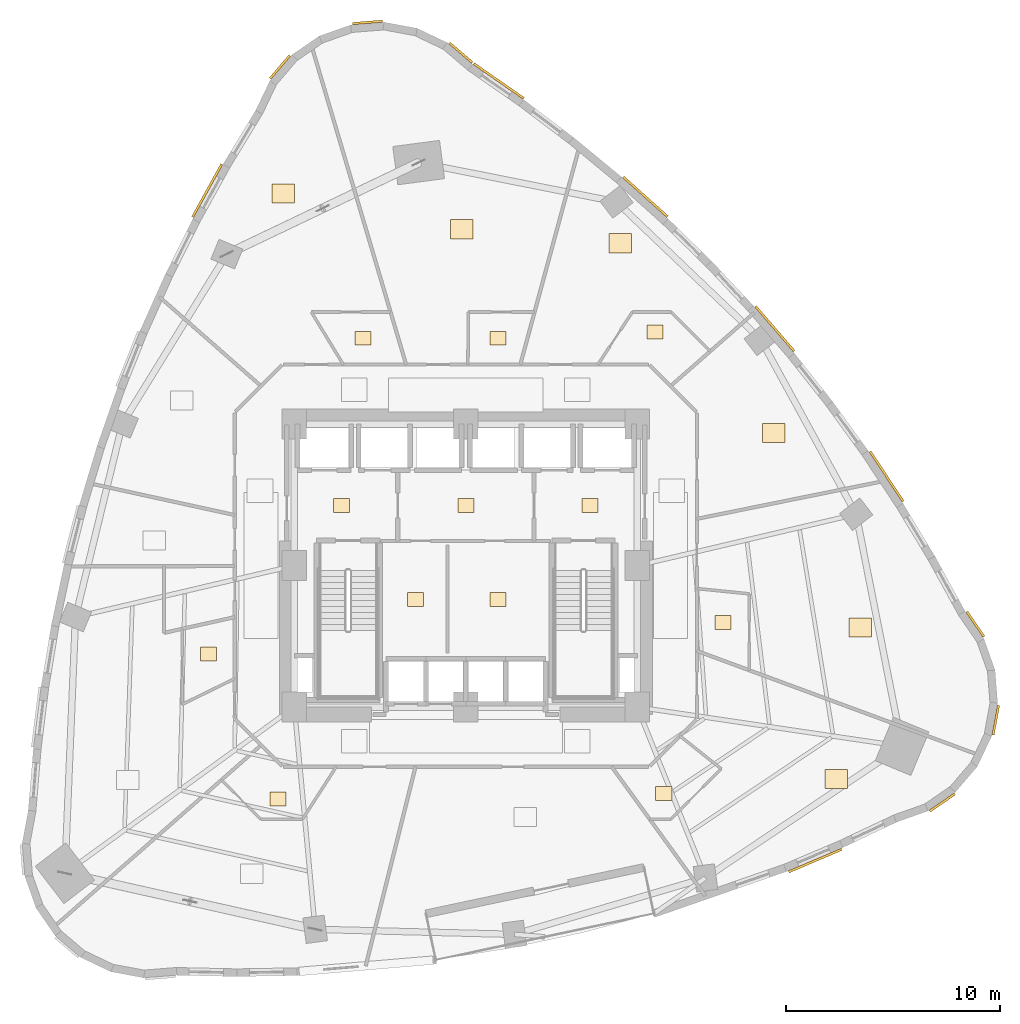
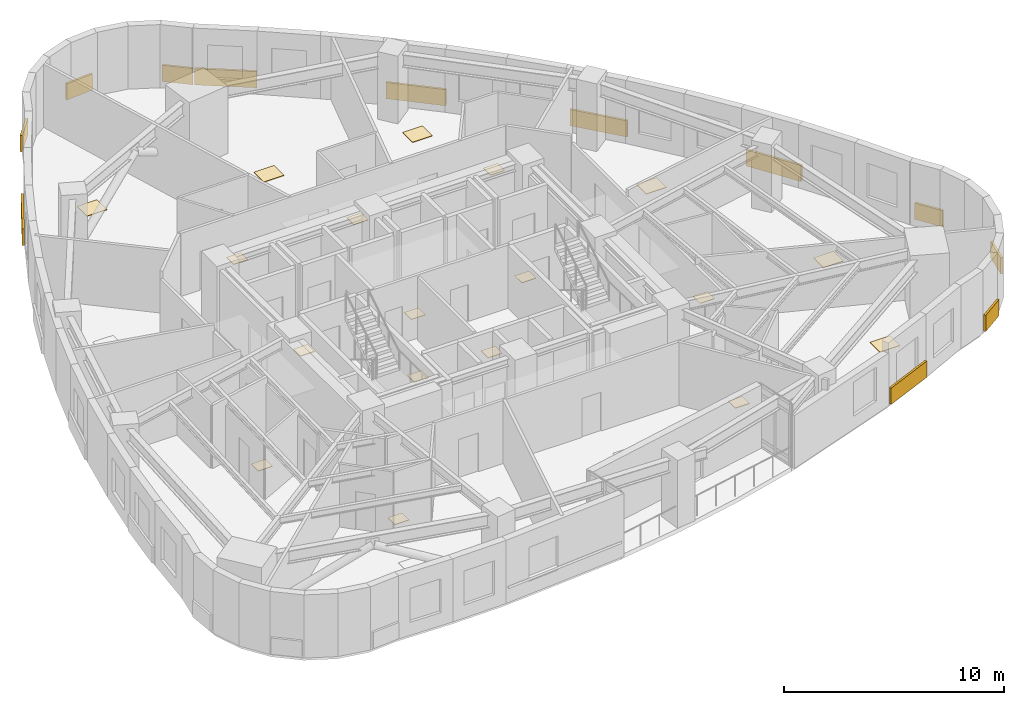
# One storey, part 12 of 12: 30 coverings.
"""IFC4 building model written with IfcOpenShell, lengths in metres."""

from ifc_helpers import new_model, si_unit, direction, frame, origin, origin_2d, place, context, subcontext, project, spatial, rectangle, extrude, material, layer, layer_set, type_object, element, save


model = new_model("IFC4")

# Units and contexts
model_context = context("Model", 3, precision=1e-05, world=origin(), true_north=direction((0.0, 1.0)))
body_context = subcontext(model_context, "Body", "Model", "MODEL_VIEW")
ifc_project = project(units=[si_unit("LENGTHUNIT", "METRE"), si_unit("AREAUNIT", "SQUARE_METRE"), si_unit("VOLUMEUNIT", "CUBIC_METRE"), si_unit("PLANEANGLEUNIT", "RADIAN"), si_unit("MASSUNIT", "GRAM", prefix="KILO")], contexts=[model_context])

# Site, building, storey
site_placement = place(None, origin())
site = spatial("IfcSite", under=ifc_project, at=site_placement, CompositionType="ELEMENT")
building_placement = place(site_placement, origin())
building = spatial("IfcBuilding", under=site, at=building_placement, Name="Ndelora Gate Hotel", CompositionType="ELEMENT")
storey_placement = place(building_placement, frame((0.0, 0.0, 71.75)))
storey = spatial("IfcBuildingStorey", under=building, at=storey_placement, Name="L17", CompositionType="ELEMENT", Elevation=71.75)

# Coverings
ifc_material_1 = material(Name="Terracotta Fired Clay Brick Slip Cladding", Category="masonry")
ifc_layer_1 = layer(ifc_material_1, 0.110107421875)
ifc_layer_set_1 = layer_set([ifc_layer_1], Name="Terracotta Fired Clay Brick Slip Cladding")
covering_type_1 = type_object("IfcCoveringType", Name="COV-CLAD-BRK", PredefinedType="CLADDING", material=ifc_layer_set_1)
for number, where, z_axis, x_axis, name in (
    (1, (-0.232177734375, 23.92529296875, 0.10009765625), (0.0, 0.0, 1.0), (-0.7604059656, 0.64944804833, 0.0), "L17 Rounded-Corner Brick Cladding Band 1"),
    (2, (-4.587646484375, 25.340576171875, 0.10009765625), (0.0, 0.0, 1.0), (0.996917333733, 0.078459095728, 0.0), "L17 Rounded-Corner Brick Cladding Band 4"),
    (3, (-8.66845703125, 23.26123046875, 0.10009765625), (0.0, 0.0, 1.0), (0.64944804833, 0.7604059656, 0.0), "L17 Rounded-Corner Brick Cladding Band 7"),
):
    element("IfcCovering", number, at=place(storey_placement, frame(where, z_axis=z_axis, x_axis=x_axis)), inside=storey, type_object=covering_type_1, Name=name, PredefinedType="CLADDING", context=body_context, shape_type="SweptSolid", body=[
        extrude(rectangle(XDim=1.4140625, YDim=0.110107421875, at=origin_2d()), origin(), (0.0, 0.0, 1.0), 0.89990234375),
    ])
covering_1_placement = place(storey_placement, frame((-12.06494140625, 17.494140625, 0.10009765625), z_axis=(0.0, 0.0, 1.0), x_axis=(0.48312957851, 0.875548862354, 0.0)))
element("IfcCovering", 4, at=covering_1_placement, inside=storey, type_object=covering_type_1, Name="L17 Rounded-Corner Brick Cladding Band 10", PredefinedType="CLADDING", context=body_context, shape_type="SweptSolid", body=[
    extrude(rectangle(XDim=2.81103515625, YDim=0.110107421875, at=origin_2d()), origin(), (0.0, 0.0, 1.0), 0.89990234375),
])
covering_2_placement = place(storey_placement, frame((16.298828125, -13.76025390625, 0.10009765625), z_axis=(0.0, 0.0, 1.0), x_axis=(0.920300140941, 0.391213050121, 0.0)))
element("IfcCovering", 5, at=covering_2_placement, inside=storey, type_object=covering_type_1, Name="L17 Rounded-Corner Brick Cladding Band 37", PredefinedType="CLADDING", context=body_context, shape_type="SweptSolid", body=[
    extrude(rectangle(XDim=2.696044921875, YDim=0.110107421875, at=origin_2d()), origin(), (0.0, 0.0, 1.0), 0.89990234375),
])
for number, where, z_axis, x_axis, name in (
    (6, (22.227783203125, -11.052490234375, 0.10009765625), (0.0, 0.0, 1.0), (0.824126188622, 0.566406236925, 0.0), "L17 Rounded-Corner Brick Cladding Band 40"),
    (7, (24.72216796875, -7.21142578125, 0.10009765625), (0.0, 0.0, 1.0), (0.182235525492, 0.983254907564, 0.0), "L17 Rounded-Corner Brick Cladding Band 43"),
    (8, (23.769775390625, -2.731689453125, 0.10009765625), (0.0, 0.0, 1.0), (-0.566406236925, 0.824126188622, 0.0), "L17 Rounded-Corner Brick Cladding Band 46"),
):
    element("IfcCovering", number, at=place(storey_placement, frame(where, z_axis=z_axis, x_axis=x_axis)), inside=storey, type_object=covering_type_1, Name=name, PredefinedType="CLADDING", context=body_context, shape_type="SweptSolid", body=[
        extrude(rectangle(XDim=1.4140625, YDim=0.110107421875, at=origin_2d()), origin(), (0.0, 0.0, 1.0), 0.89990234375),
    ])
covering_3_placement = place(storey_placement, frame((19.6279296875, 4.161376953125, 0.10009765625), z_axis=(0.0, 0.0, 1.0), x_axis=(-0.551791436375, 0.833982140542, 0.0)))
element("IfcCovering", 9, at=covering_3_placement, inside=storey, type_object=covering_type_1, Name="L17 Rounded-Corner Brick Cladding Band 49", PredefinedType="CLADDING", context=body_context, shape_type="SweptSolid", body=[
    extrude(rectangle(XDim=2.791015625, YDim=0.110107421875, at=origin_2d()), origin(), (0.0, 0.0, 1.0), 0.89990234375),
])
covering_4_placement = place(storey_placement, frame((14.415771484375, 11.0498046875, 0.10009765625), z_axis=(0.0, 0.0, 1.0), x_axis=(-0.653156323064, 0.757223096347, 0.0)))
element("IfcCovering", 10, at=covering_4_placement, inside=storey, type_object=covering_type_1, Name="L17 Rounded-Corner Brick Cladding Band 52", PredefinedType="CLADDING", context=body_context, shape_type="SweptSolid", body=[
    extrude(rectangle(XDim=2.760009765625, YDim=0.110107421875, at=origin_2d()), origin(), (0.0, 0.0, 1.0), 0.89990234375),
])
covering_5_placement = place(storey_placement, frame((8.38330078125, 17.19970703125, 0.10009765625), z_axis=(0.0, 0.0, 1.0), x_axis=(-0.744311546231, 0.667832555471, 0.0)))
element("IfcCovering", 11, at=covering_5_placement, inside=storey, type_object=covering_type_1, Name="L17 Rounded-Corner Brick Cladding Band 55", PredefinedType="CLADDING", context=body_context, shape_type="SweptSolid", body=[
    extrude(rectangle(XDim=2.77490234375, YDim=0.110107421875, at=origin_2d()), origin(), (0.0, 0.0, 1.0), 0.89990234375),
])
covering_6_placement = place(storey_placement, frame((1.531494140625, 22.6103515625, 0.10009765625), z_axis=(0.0, 0.0, 1.0), x_axis=(-0.821447921484, 0.570283536751, 0.0)))
element("IfcCovering", 12, at=covering_6_placement, inside=storey, type_object=covering_type_1, Name="L17 Rounded-Corner Brick Cladding Band 58", PredefinedType="CLADDING", context=body_context, shape_type="SweptSolid", body=[
    extrude(rectangle(XDim=2.8369140625, YDim=0.110107421875, at=origin_2d()), origin(), (0.0, 0.0, 1.0), 0.89990234375),
])
ifc_material_2 = material(Name="Engineered Highland Oak Parquet", Category="wood")
ifc_layer_2 = layer(ifc_material_2, 0.030029296875)
ifc_layer_set_2 = layer_set([ifc_layer_2], Name="Engineered Highland Oak Parquet")
covering_type_2 = type_object("IfcCoveringType", Name="COV-FLR-PARQ", PredefinedType="FLOORING", material=ifc_layer_set_2)
for number, where, z_axis, x_axis, name in (
    (13, (17.285400390625, -9.955078125, 0.0), (0.0, 0.0, 1.0), (1.0, 0.0, 0.0), "L17 Deluxe King Junior Suite 2003 Oak Parquet Flooring"),
    (14, (18.406982421875, -2.884521484375, 0.0), (0.0, 0.0, 1.0), (1.0, 0.0, 0.0), "L17 Twin Junior Suite 2004 Oak Parquet Flooring"),
    (15, (14.361328125, 6.1826171875, 0.0), (0.0, 0.0, 1.0), (1.0, 0.0, 0.0), "L17 Curated Art Salon Oak Parquet Flooring"),
    (16, (7.2060546875, 15.0361328125, 0.0), (0.0, 0.0, 1.0), (1.0, 0.0, 0.0), "L17 Family Twin Suite 2005 Oak Parquet Flooring"),
    (17, (-0.200927734375, 15.689453125, 0.0), (0.0, 0.0, 1.0), (1.0, 0.0, 0.0), "L17 Executive King Junior Suite 2006 Oak Parquet Flooring"),
    (18, (-8.509765625, 17.362060546875, 0.0), (0.0, 0.0, 1.0), (1.0, 0.0, 0.0), "L17 Superior Double Junior Suite 2007 Oak Parquet Flooring"),
):
    element("IfcCovering", number, at=place(storey_placement, frame(where, z_axis=z_axis, x_axis=x_axis)), inside=storey, type_object=covering_type_2, Name=name, PredefinedType="FLOORING", context=body_context, shape_type="SweptSolid", body=[
        extrude(rectangle(XDim=1.050048828125, YDim=0.89990234375, at=origin_2d()), origin(), (0.0, 0.0, 1.0), 0.030029296875),
    ])
ifc_material_3 = material(Name="Non-Slip Porcelain Wet-Room Tile", Category="ceramic")
ifc_layer_3 = layer(ifc_material_3, 0.02490234375)
ifc_layer_set_3 = layer_set([ifc_layer_3], Name="Non-Slip Porcelain Wet-Room Tile")
covering_type_3 = type_object("IfcCoveringType", Name="COV-FLR-TILE", PredefinedType="FLOORING", material=ifc_layer_set_3)
for number, where, z_axis, x_axis, name in (
    (19, (-5.800048828125, 2.800048828125, 0.0), (0.0, 0.0, 1.0), (1.0, 0.0, 0.0), "L17 Firefighting Lift Lobby West Porcelain Tile Flooring"),
    (20, (5.800048828125, 2.800048828125, 0.0), (0.0, 0.0, 1.0), (1.0, 0.0, 0.0), "L17 Firefighting Lift Lobby East Porcelain Tile Flooring"),
    (21, (0.0, 2.800048828125, 0.0), (0.0, 0.0, 1.0), (1.0, 0.0, 0.0), "L17 Central Passenger Lift Lobby Porcelain Tile Flooring"),
    (22, (-2.35009765625, -1.574951171875, 0.0), (0.0, 0.0, 1.0), (1.0, 0.0, 0.0), "L17 Core Electrical Switchroom Porcelain Tile Flooring"),
    (23, (1.5, -1.574951171875, 0.0), (0.0, 0.0, 1.0), (1.0, 0.0, 0.0), "L17 Central Linen Equipment Store Porcelain Tile Flooring"),
    (24, (-12.0048828125, -4.114501953125, 0.0), (0.0, 0.0, 1.0), (1.0, 0.0, 0.0), "L17 En-suite Bathroom 2001 Porcelain Tile Flooring"),
    (25, (-8.75390625, -10.89404296875, 0.0), (0.0, 0.0, 1.0), (1.0, 0.0, 0.0), "L17 En-suite Bathroom 2002 Porcelain Tile Flooring"),
    (26, (9.232421875, -10.63671875, 0.0), (0.0, 0.0, 1.0), (1.0, 0.0, 0.0), "L17 En-suite Bathroom 2003 Porcelain Tile Flooring"),
    (27, (12.0048828125, -2.65234375, 0.0), (0.0, 0.0, 1.0), (1.0, 0.0, 0.0), "L17 En-suite Bathroom 2004 Porcelain Tile Flooring"),
    (28, (8.824462890625, 10.89404296875, 0.0), (0.0, 0.0, 1.0), (1.0, 0.0, 0.0), "L17 En-suite Bathroom 2005 Porcelain Tile Flooring"),
    (29, (1.491455078125, 10.60498046875, 0.0), (0.0, 0.0, 1.0), (1.0, 0.0, 0.0), "L17 En-suite Bathroom 2006 Porcelain Tile Flooring"),
    (30, (-4.80126953125, 10.60498046875, 0.0), (0.0, 0.0, 1.0), (1.0, 0.0, 0.0), "L17 En-suite Bathroom 2007 Porcelain Tile Flooring"),
):
    element("IfcCovering", number, at=place(storey_placement, frame(where, z_axis=z_axis, x_axis=x_axis)), inside=storey, type_object=covering_type_3, Name=name, PredefinedType="FLOORING", context=body_context, shape_type="SweptSolid", body=[
        extrude(rectangle(XDim=0.75, YDim=0.64990234375, at=origin_2d()), origin(), (0.0, 0.0, 1.0), 0.02490234375),
    ])

save(model, "model.ifc")
